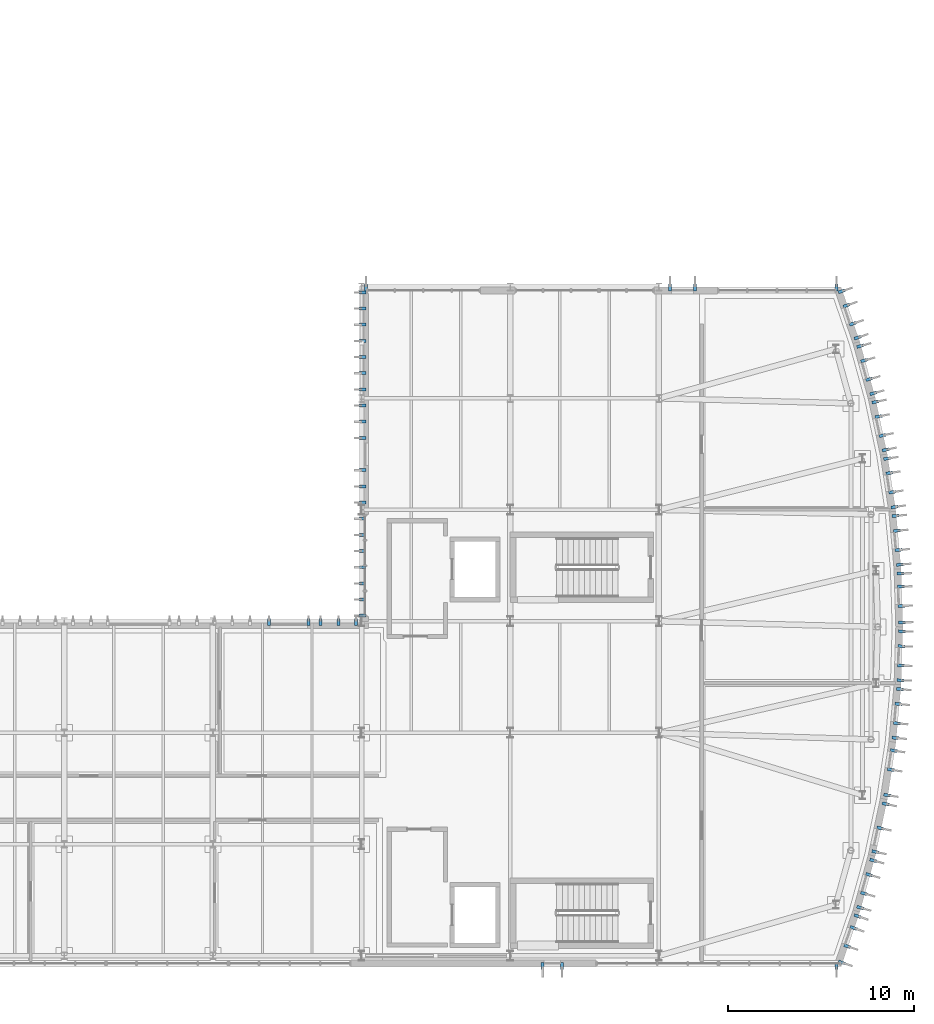
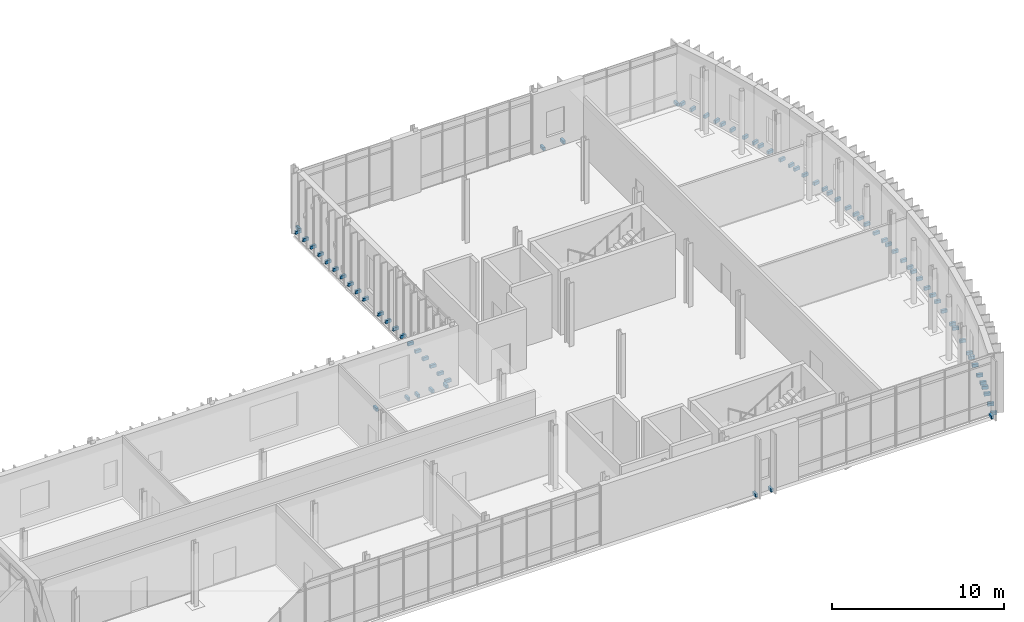
# One storey, part 81 of 100: 78 discrete accessories.
"""IFC4 building model written with IfcOpenShell, lengths in metres."""

from ifc_helpers import new_model, si_unit, direction, frame, origin, origin_2d, place, context, subcontext, project, spatial, rectangle, extrude, material, type_object, element, save


model = new_model("IFC4")

# Units and contexts
model_context = context("Model", 3, precision=1e-05, world=origin(), true_north=direction((0.0, 1.0)))
body_context = subcontext(model_context, "Body", "Model", "MODEL_VIEW")
ifc_project = project(units=[si_unit("LENGTHUNIT", "METRE"), si_unit("AREAUNIT", "SQUARE_METRE"), si_unit("VOLUMEUNIT", "CUBIC_METRE"), si_unit("PLANEANGLEUNIT", "RADIAN"), si_unit("MASSUNIT", "GRAM", prefix="KILO")], contexts=[model_context])

# Site, building, storey
site_placement = place(None, origin())
site = spatial("IfcSite", under=ifc_project, at=site_placement, CompositionType="ELEMENT")
building_placement = place(site_placement, origin())
building = spatial("IfcBuilding", under=site, at=building_placement, Name="Cymarion Research Institute", CompositionType="ELEMENT")
storey_placement = place(building_placement, frame((0.0, 0.0, 9.300048828125)))
storey = spatial("IfcBuildingStorey", under=building, at=storey_placement, Name="L02", CompositionType="ELEMENT", Elevation=9.300048828125)

# Discrete accessories
ifc_material = material(Name="Steel S355", Category="steel")
discrete_accessory_type = type_object("IfcDiscreteAccessoryType", Name="STAINLESS STEEL FACADE FIN BRACKET FBK1", PredefinedType="BRACKET", material=ifc_material)
for number, where, z_axis, x_axis, name in (
    (1, (148.3466796875, 4.93994140625, -0.08984375), (0.0, 0.0, 1.0), (0.0, -1.0, 0.0), "L02 V1 precast fin anchor bracket #211"),
    (2, (149.38671875, 4.93994140625, -0.08984375), (0.0, 0.0, 1.0), (0.0, -1.0, 0.0), "L02 V1 precast fin anchor bracket #212"),
    (3, (164.159912109375, 4.93994140625, -0.08984375), (0.0, 0.0, 1.0), (0.0, -1.0, 0.0), "L02 V1 precast fin anchor bracket #213"),
    (4, (164.439697265625, 5.139892578125, -0.08984375), (0.0, 0.0, 1.0), (0.946141878672, -0.32375229022, 0.0), "L02 V1 precast fin anchor bracket #214"),
    (5, (164.7392578125, 6.014892578125, -0.08984375), (0.0, 0.0, 1.0), (0.946141878672, -0.32375229022, 0.0), "L02 V1 precast fin anchor bracket #215"),
    (6, (165.07568359375, 6.998779296875, -0.08984375), (0.0, 0.0, 1.0), (0.946141878672, -0.32375229022, 0.0), "L02 V1 precast fin anchor bracket #216"),
    (7, (165.293212890625, 7.634521484375, -0.08984375), (0.0, 0.0, 1.0), (0.946141878672, -0.32375229022, 0.0), "L02 V1 precast fin anchor bracket #217"),
    (8, (165.43408203125, 8.090576171875, -0.08984375), (0.0, 0.0, 1.0), (0.963863295733, -0.266397348219, 0.0), "L02 V1 precast fin anchor bracket #218"),
    (9, (165.645263671875, 8.853759765625, -0.08984375), (0.0, 0.0, 1.0), (0.963863295733, -0.266397348219, 0.0), "L02 V1 precast fin anchor bracket #219"),
    (10, (165.92236328125, 9.856201171875, -0.08984375), (0.0, 0.0, 1.0), (0.963863295733, -0.266397348219, 0.0), "L02 V1 precast fin anchor bracket #220"),
    (11, (166.13671875, 10.631591796875, -0.08984375), (0.0, 0.0, 1.0), (0.963863295733, -0.266397348219, 0.0), "L02 V1 precast fin anchor bracket #221"),
    (12, (166.25, 11.09521484375, -0.08984375), (0.0, 0.0, 1.0), (0.978074966272, -0.208253116068, 0.0), "L02 V1 precast fin anchor bracket #222"),
    (13, (166.52099609375, 12.36767578125, -0.08984375), (0.0, 0.0, 1.0), (0.978074966272, -0.208253116068, 0.0), "L02 V1 precast fin anchor bracket #223"),
    (14, (166.799072265625, 13.673583984375, -0.08984375), (0.0, 0.0, 1.0), (0.978074966272, -0.208253116068, 0.0), "L02 V1 precast fin anchor bracket #224"),
    (15, (166.884521484375, 14.143310546875, -0.08984375), (0.0, 0.0, 1.0), (0.988782464828, -0.149362770624, 0.0), "L02 V1 precast fin anchor bracket #225"),
    (16, (167.091064453125, 15.511962890625, -0.08984375), (0.0, 0.0, 1.0), (0.988782464828, -0.149362770624, 0.0), "L02 V1 precast fin anchor bracket #226"),
    (17, (167.24609375, 16.540283203125, -0.08984375), (0.0, 0.0, 1.0), (0.988782464828, -0.149362770624, 0.0), "L02 V1 precast fin anchor bracket #227"),
    (18, (167.3349609375, 17.22412109375, -0.08984375), (0.0, 0.0, 1.0), (0.995963111248, -0.089763472712, 0.0), "L02 V1 precast fin anchor bracket #228"),
    (19, (167.406005859375, 18.0126953125, -0.08984375), (0.0, 0.0, 1.0), (0.995963111248, -0.089763472712, 0.0), "L02 V1 precast fin anchor bracket #229"),
    (20, (167.49951171875, 19.048583984375, -0.08984375), (0.0, 0.0, 1.0), (0.995963111248, -0.089763472712, 0.0), "L02 V1 precast fin anchor bracket #230"),
    (21, (167.57177734375, 19.849609375, -0.08984375), (0.0, 0.0, 1.0), (0.995963111248, -0.089763472712, 0.0), "L02 V1 precast fin anchor bracket #231"),
    (22, (167.600341796875, 20.326171875, -0.08984375), (0.0, 0.0, 1.0), (0.99954944375, -0.030015154483, 0.0), "L02 V1 precast fin anchor bracket #232"),
    (23, (167.6240234375, 21.117919921875, -0.08984375), (0.0, 0.0, 1.0), (0.99954944375, -0.030015154483, 0.0), "L02 V1 precast fin anchor bracket #233"),
    (24, (167.6552734375, 22.157470703125, -0.08984375), (0.0, 0.0, 1.0), (0.99954944375, -0.030015154483, 0.0), "L02 V1 precast fin anchor bracket #234"),
    (25, (167.67919921875, 22.961181640625, -0.08984375), (0.0, 0.0, 1.0), (0.99954944375, -0.030015154483, 0.0), "L02 V1 precast fin anchor bracket #235"),
    (26, (167.67919921875, 23.438720703125, -0.08984375), (0.0, 0.0, 1.0), (0.99954944375, 0.030015154483, 0.0), "L02 V1 precast fin anchor bracket #236"),
    (27, (167.652587890625, 24.330322265625, -0.08984375), (0.0, 0.0, 1.0), (0.99954944375, 0.030015154483, 0.0), "L02 V1 precast fin anchor bracket #237"),
    (28, (167.621337890625, 25.369873046875, -0.08984375), (0.0, 0.0, 1.0), (0.99954944375, 0.030015154483, 0.0), "L02 V1 precast fin anchor bracket #238"),
    (29, (167.600341796875, 26.07373046875, -0.08984375), (0.0, 0.0, 1.0), (0.99954944375, 0.030015154483, 0.0), "L02 V1 precast fin anchor bracket #239"),
    (30, (167.57177734375, 26.55029296875, -0.08984375), (0.0, 0.0, 1.0), (0.995963111248, 0.089763472712, 0.0), "L02 V1 precast fin anchor bracket #240"),
    (31, (167.50048828125, 27.339111328125, -0.08984375), (0.0, 0.0, 1.0), (0.995963111248, 0.089763472712, 0.0), "L02 V1 precast fin anchor bracket #241"),
    (32, (167.4072265625, 28.375, -0.08984375), (0.0, 0.0, 1.0), (0.995963111248, 0.089763472712, 0.0), "L02 V1 precast fin anchor bracket #242"),
    (33, (167.3349609375, 29.176025390625, -0.08984375), (0.0, 0.0, 1.0), (0.995963111248, 0.089763472712, 0.0), "L02 V1 precast fin anchor bracket #243"),
    (34, (167.27783203125, 29.64990234375, -0.08984375), (0.0, 0.0, 1.0), (0.988782464828, 0.149362770624, 0.0), "L02 V1 precast fin anchor bracket #244"),
    (35, (167.156982421875, 30.450927734375, -0.08984375), (0.0, 0.0, 1.0), (0.988782464828, 0.149362770624, 0.0), "L02 V1 precast fin anchor bracket #245"),
    (36, (167.001708984375, 31.479248046875, -0.08984375), (0.0, 0.0, 1.0), (0.988782464828, 0.149362770624, 0.0), "L02 V1 precast fin anchor bracket #246"),
    (37, (166.884521484375, 32.256591796875, -0.08984375), (0.0, 0.0, 1.0), (0.988782464828, 0.149362770624, 0.0), "L02 V1 precast fin anchor bracket #247"),
    (38, (166.799072265625, 32.726318359375, -0.08984375), (0.0, 0.0, 1.0), (0.978074966272, 0.208253116068, 0.0), "L02 V1 precast fin anchor bracket #248"),
    (39, (166.634033203125, 33.5009765625, -0.08984375), (0.0, 0.0, 1.0), (0.978074966272, 0.208253116068, 0.0), "L02 V1 precast fin anchor bracket #249"),
    (40, (166.41748046875, 34.518310546875, -0.08984375), (0.0, 0.0, 1.0), (0.978074966272, 0.208253116068, 0.0), "L02 V1 precast fin anchor bracket #250"),
    (41, (166.25, 35.3046875, -0.08984375), (0.0, 0.0, 1.0), (0.978074966272, 0.208253116068, 0.0), "L02 V1 precast fin anchor bracket #251"),
    (42, (166.13671875, 35.7685546875, -0.08984375), (0.0, 0.0, 1.0), (0.963863295733, 0.266397348219, 0.0), "L02 V1 precast fin anchor bracket #252"),
    (43, (165.925537109375, 36.531982421875, -0.08984375), (0.0, 0.0, 1.0), (0.963863295733, 0.266397348219, 0.0), "L02 V1 precast fin anchor bracket #253"),
    (44, (165.6484375, 37.5341796875, -0.08984375), (0.0, 0.0, 1.0), (0.963863295733, 0.266397348219, 0.0), "L02 V1 precast fin anchor bracket #254"),
    (45, (165.43408203125, 38.3095703125, -0.08984375), (0.0, 0.0, 1.0), (0.963863295733, 0.266397348219, 0.0), "L02 V1 precast fin anchor bracket #255"),
    (46, (165.293212890625, 38.765625, -0.08984375), (0.0, 0.0, 1.0), (0.946141878672, 0.32375229022, 0.0), "L02 V1 precast fin anchor bracket #256"),
    (47, (165.036865234375, 39.514892578125, -0.08984375), (0.0, 0.0, 1.0), (0.946141878672, 0.32375229022, 0.0), "L02 V1 precast fin anchor bracket #257"),
    (48, (164.7001953125, 40.4990234375, -0.08984375), (0.0, 0.0, 1.0), (0.946141878672, 0.32375229022, 0.0), "L02 V1 precast fin anchor bracket #258"),
    (49, (164.439697265625, 41.260009765625, -0.08984375), (0.0, 0.0, 1.0), (0.946141878672, 0.32375229022, 0.0), "L02 V1 precast fin anchor bracket #259"),
    (50, (164.159912109375, 41.4599609375, -0.08984375), (0.0, 0.0, 1.0), (0.0, 1.0, 0.0), "L02 V1 precast fin anchor bracket #260"),
    (51, (156.539794921875, 41.4599609375, -0.08984375), (0.0, 0.0, 1.0), (0.0, 1.0, 0.0), "L02 V1 precast fin anchor bracket #261"),
    (52, (155.19970703125, 41.4599609375, -0.08984375), (0.0, 0.0, 1.0), (0.0, 1.0, 0.0), "L02 V1 precast fin anchor bracket #262"),
    (53, (138.840087890625, 41.4599609375, -0.08984375), (0.0, 0.0, 1.0), (0.0, 1.0, 0.0), "L02 V1 precast fin anchor bracket #263"),
    (54, (138.639892578125, 41.199951171875, -0.08984375), (0.0, 0.0, 1.0), (-1.0, 0.0, 0.0), "L02 V1 precast fin anchor bracket #264"),
    (55, (138.639892578125, 40.330078125, -0.08984375), (0.0, 0.0, 1.0), (-1.0, 0.0, 0.0), "L02 V1 precast fin anchor bracket #265"),
    (56, (138.639892578125, 39.4599609375, -0.08984375), (0.0, 0.0, 1.0), (-1.0, 0.0, 0.0), "L02 V1 precast fin anchor bracket #266"),
    (57, (138.639892578125, 38.590087890625, -0.08984375), (0.0, 0.0, 1.0), (-1.0, 0.0, 0.0), "L02 V1 precast fin anchor bracket #267"),
    (58, (138.639892578125, 37.719970703125, -0.08984375), (0.0, 0.0, 1.0), (-1.0, 0.0, 0.0), "L02 V1 precast fin anchor bracket #268"),
    (59, (138.639892578125, 36.85009765625, -0.08984375), (0.0, 0.0, 1.0), (-1.0, 0.0, 0.0), "L02 V1 precast fin anchor bracket #269"),
    (60, (138.639892578125, 35.97998046875, -0.08984375), (0.0, 0.0, 1.0), (-1.0, 0.0, 0.0), "L02 V1 precast fin anchor bracket #270"),
    (61, (138.639892578125, 35.110107421875, -0.08984375), (0.0, 0.0, 1.0), (-1.0, 0.0, 0.0), "L02 V1 precast fin anchor bracket #271"),
    (62, (138.639892578125, 34.239990234375, -0.08984375), (0.0, 0.0, 1.0), (-1.0, 0.0, 0.0), "L02 V1 precast fin anchor bracket #272"),
    (63, (138.639892578125, 33.3701171875, -0.08984375), (0.0, 0.0, 1.0), (-1.0, 0.0, 0.0), "L02 V1 precast fin anchor bracket #273"),
    (64, (138.639892578125, 31.6298828125, -0.08984375), (0.0, 0.0, 1.0), (-1.0, 0.0, 0.0), "L02 V1 precast fin anchor bracket #274"),
    (65, (138.639892578125, 30.760009765625, -0.08984375), (0.0, 0.0, 1.0), (-1.0, 0.0, 0.0), "L02 V1 precast fin anchor bracket #275"),
    (66, (138.639892578125, 29.889892578125, -0.08984375), (0.0, 0.0, 1.0), (-1.0, 0.0, 0.0), "L02 V1 precast fin anchor bracket #276"),
    (67, (138.639892578125, 29.02001953125, -0.08984375), (0.0, 0.0, 1.0), (-1.0, 0.0, 0.0), "L02 V1 precast fin anchor bracket #277"),
    (68, (138.639892578125, 28.14990234375, -0.08984375), (0.0, 0.0, 1.0), (-1.0, 0.0, 0.0), "L02 V1 precast fin anchor bracket #278"),
    (69, (138.639892578125, 27.280029296875, -0.08984375), (0.0, 0.0, 1.0), (-1.0, 0.0, 0.0), "L02 V1 precast fin anchor bracket #279"),
    (70, (138.639892578125, 26.409912109375, -0.08984375), (0.0, 0.0, 1.0), (-1.0, 0.0, 0.0), "L02 V1 precast fin anchor bracket #280"),
    (71, (138.639892578125, 25.5400390625, -0.08984375), (0.0, 0.0, 1.0), (-1.0, 0.0, 0.0), "L02 V1 precast fin anchor bracket #281"),
    (72, (138.639892578125, 24.669921875, -0.08984375), (0.0, 0.0, 1.0), (-1.0, 0.0, 0.0), "L02 V1 precast fin anchor bracket #282"),
    (73, (138.639892578125, 23.800048828125, -0.08984375), (0.0, 0.0, 1.0), (-1.0, 0.0, 0.0), "L02 V1 precast fin anchor bracket #283"),
    (74, (138.300048828125, 23.4599609375, -0.08984375), (0.0, 0.0, 1.0), (0.0, 1.0, 0.0), "L02 V1 precast fin anchor bracket #284"),
    (75, (137.3486328125, 23.4599609375, -0.08984375), (0.0, 0.0, 1.0), (0.0, 1.0, 0.0), "L02 V1 precast fin anchor bracket #285"),
    (76, (136.397216796875, 23.4599609375, -0.08984375), (0.0, 0.0, 1.0), (0.0, 1.0, 0.0), "L02 V1 precast fin anchor bracket #286"),
    (77, (135.739990234375, 23.4599609375, -0.08984375), (0.0, 0.0, 1.0), (0.0, 1.0, 0.0), "L02 V1 precast fin anchor bracket #287"),
    (78, (133.6201171875, 23.4599609375, -0.08984375), (0.0, 0.0, 1.0), (0.0, 1.0, 0.0), "L02 V1 precast fin anchor bracket #288"),
):
    element("IfcDiscreteAccessory", number, at=place(storey_placement, frame(where, z_axis=z_axis, x_axis=x_axis)), inside=storey, type_object=discrete_accessory_type, Name=name, PredefinedType="BRACKET", context=body_context, shape_type="SweptSolid", body=[
        extrude(rectangle(XDim=0.3798828125, YDim=0.159912109375, at=origin_2d()), origin(), (0.0, 0.0, 1.0), 0.219970703125),
    ])

save(model, "model.ifc")
